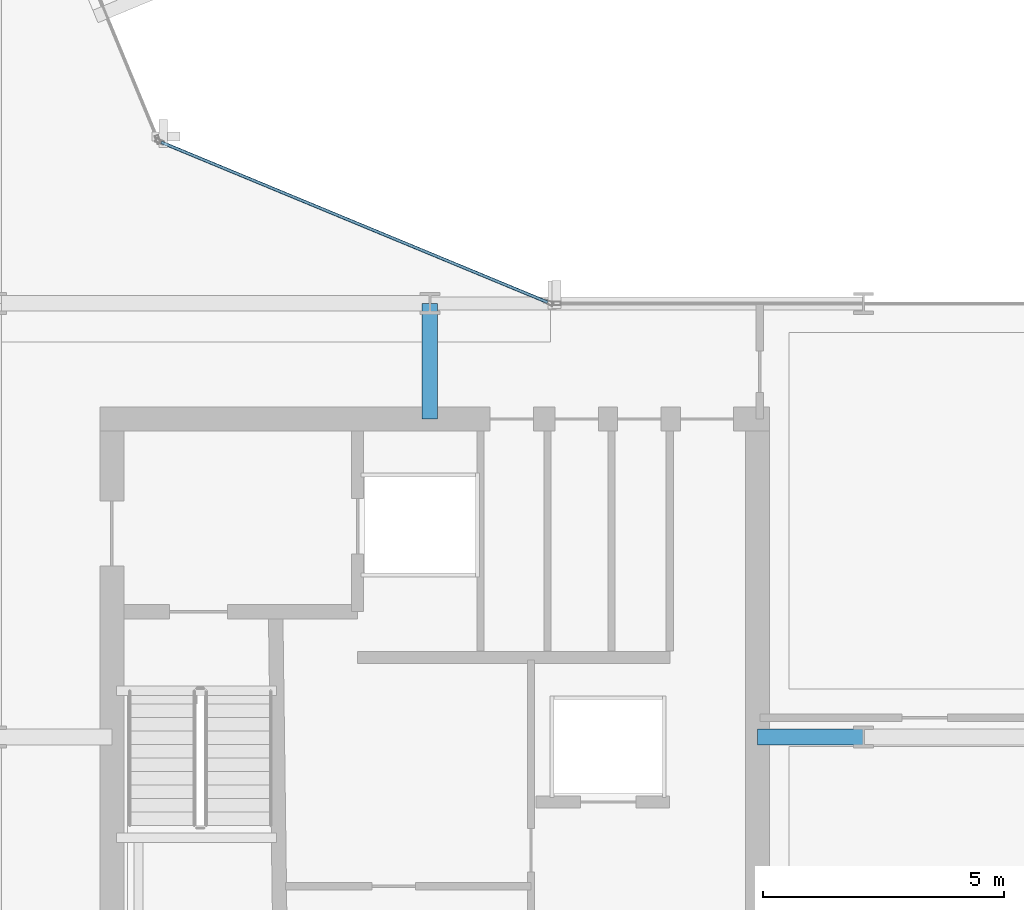
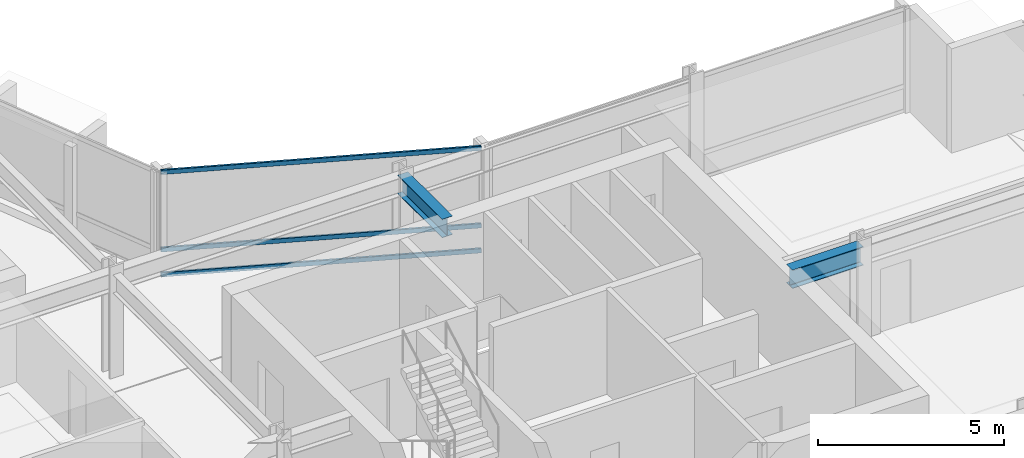
# One storey, part 12 of 28: 3 members, 2 beams, 1 element without a shape of its own.
"""IFC4 building model written with IfcOpenShell, lengths in metres."""

from ifc_helpers import new_model, si_unit, direction, frame, origin, origin_2d, place, context, subcontext, project, spatial, hollow_rectangle, i_section, extrude, material, layer, layer_set, material_profile, profile_set, type_object, element, aggregate, save


model = new_model("IFC4")

# Units and contexts
model_context = context("Model", 3, precision=1e-05, world=origin(), true_north=direction((0.0, 1.0)))
body_context = subcontext(model_context, "Body", "Model", "MODEL_VIEW")
ifc_project = project(units=[si_unit("LENGTHUNIT", "METRE"), si_unit("AREAUNIT", "SQUARE_METRE"), si_unit("VOLUMEUNIT", "CUBIC_METRE"), si_unit("PLANEANGLEUNIT", "RADIAN"), si_unit("MASSUNIT", "GRAM", prefix="KILO")], contexts=[model_context])

# Site, building, storey
site_placement = place(None, origin())
site = spatial("IfcSite", under=ifc_project, at=site_placement, CompositionType="ELEMENT")
building_placement = place(site_placement, origin())
building = spatial("IfcBuilding", under=site, at=building_placement, Name="Solvaryn Broadcast Tower", CompositionType="ELEMENT")
storey_placement = place(building_placement, frame((0.0, 0.0, 132.199951171875)))
storey = spatial("IfcBuildingStorey", under=building, at=storey_placement, Name="L32", CompositionType="ELEMENT", Elevation=132.199951171875)

# Beams
ifc_material_1 = material(Name="Steel ASTM A992 Grade 50", Category="steel")
ifc_material_profile_1 = material_profile(ifc_material_1, i_section(OverallWidth=0.323974609375, OverallDepth=0.611083984375, WebThickness=0.0126953125, FlangeThickness=0.01904296875, FilletRadius=0.014892578125, at=origin_2d()))
ifc_profile_set_1 = profile_set([ifc_material_profile_1], Name="Steel ASTM A992 Grade 50")
beam_type = type_object("IfcBeamType", Name="BM-B1-W24X104", PredefinedType="BEAM", material=ifc_profile_set_1)
beam_1_placement = place(storey_placement, frame((36.0, 24.60009765625, 3.114501953125), z_axis=(0.0, 1.0, 0.0), x_axis=(-1.0, 0.0, 0.0)))
element("IfcBeam", 1, at=beam_1_placement, inside=storey, type_object=beam_type, Name="L32 Core Tie Beam CTE2", PredefinedType="BEAM", context=body_context, shape_type="SweptSolid", body=[
    extrude(i_section(OverallWidth=0.323974609375, OverallDepth=0.611083984375, WebThickness=0.0126953125, FlangeThickness=0.01904296875, FilletRadius=0.014892578125, at=origin_2d()), origin(), (0.0, 0.0, 1.0), 2.39990234375),
])
beam_2_placement = place(storey_placement, frame((42.800048828125, 18.0, 3.114501953125), z_axis=(1.0, 0.0, 0.0), x_axis=(0.0, 1.0, 0.0)))
element("IfcBeam", 2, at=beam_2_placement, inside=storey, type_object=beam_type, Name="L32 Core Tie Beam CTE3", PredefinedType="BEAM", context=body_context, shape_type="SweptSolid", body=[
    extrude(i_section(OverallWidth=0.323974609375, OverallDepth=0.611083984375, WebThickness=0.0126953125, FlangeThickness=0.01904296875, FilletRadius=0.014892578125, at=origin_2d()), origin(), (0.0, 0.0, 1.0), 2.199951171875),
])

# Curtain wall, members
ifc_material_2 = material(Name="Aluminium and Terracotta Unitised Curtain Wall", Category="masonry")
ifc_layer = layer(ifc_material_2, 0.199951171875)
ifc_layer_set = layer_set([ifc_layer], Name="CW-SYS2-LOWMID")
curtain_wall_type = type_object("IfcCurtainWallType", Name="CW-SYS2-LOWMID", PredefinedType="NOTDEFINED", material=ifc_layer_set)
curtain_wall_placement = place(storey_placement, origin())
curtain_wall = element("IfcCurtainWall", 3, at=curtain_wall_placement, inside=storey, type_object=curtain_wall_type, Name="L32 Curtain Wall CN1", PredefinedType="NOTDEFINED")
ifc_material_3 = material(Name="Anodised Aluminium 6063-T6", Category="aluminium")
ifc_material_profile_2 = material_profile(ifc_material_3, hollow_rectangle(XDim=0.06494140625, YDim=0.14990234375, WallThickness=0.00390625, InnerFilletRadius=0.00390625, OuterFilletRadius=0.008056640625, at=origin_2d()))
ifc_profile_set_2 = profile_set([ifc_material_profile_2], Name="Anodised Aluminium 6063-T6")
member_type = type_object("IfcMemberType", Name="CW-TRN-150", PredefinedType="USERDEFINED", material=ifc_profile_set_2)
member_1_placement = place(storey_placement, frame((38.444580078125, 27.02294921875, 0.030029296875), z_axis=(-0.923899282177, 0.382635748975, 0.0), x_axis=(-0.382635748975, -0.923899282177, 0.0)))
member_1 = element("IfcMember", 4, at=member_1_placement, type_object=member_type, Name="CWS2 transom 1.1", ObjectType="TRANSOM", PredefinedType="USERDEFINED", context=body_context, shape_type="SweptSolid", body=[
    extrude(hollow_rectangle(XDim=0.06494140625, YDim=0.14990234375, WallThickness=0.00390625, InnerFilletRadius=0.00390625, OuterFilletRadius=0.008056640625, at=origin_2d()), origin(), (0.0, 0.0, 1.0), 8.681884765625),
])
member_2_placement = place(storey_placement, frame((38.444580078125, 27.02294921875, 0.85009765625), z_axis=(-0.923899282177, 0.382635748975, 0.0), x_axis=(-0.382635748975, -0.923899282177, 0.0)))
member_2 = element("IfcMember", 5, at=member_2_placement, type_object=member_type, Name="CWS2 transom 1.2", ObjectType="TRANSOM", PredefinedType="USERDEFINED", context=body_context, shape_type="SweptSolid", body=[
    extrude(hollow_rectangle(XDim=0.06494140625, YDim=0.14990234375, WallThickness=0.00390625, InnerFilletRadius=0.00390625, OuterFilletRadius=0.008056640625, at=origin_2d()), origin(), (0.0, 0.0, 1.0), 8.681884765625),
])
member_3_placement = place(storey_placement, frame((38.444580078125, 27.02294921875, 3.39013671875), z_axis=(-0.923899282177, 0.382635748975, 0.0), x_axis=(-0.382635748975, -0.923899282177, 0.0)))
member_3 = element("IfcMember", 6, at=member_3_placement, type_object=member_type, Name="CWS2 transom 1.3", ObjectType="TRANSOM", PredefinedType="USERDEFINED", context=body_context, shape_type="SweptSolid", body=[
    extrude(hollow_rectangle(XDim=0.06494140625, YDim=0.14990234375, WallThickness=0.00390625, InnerFilletRadius=0.00390625, OuterFilletRadius=0.008056640625, at=origin_2d()), origin(), (0.0, 0.0, 1.0), 8.681884765625),
])
aggregate(curtain_wall, [member_1, member_2, member_3])

save(model, "model.ifc")
